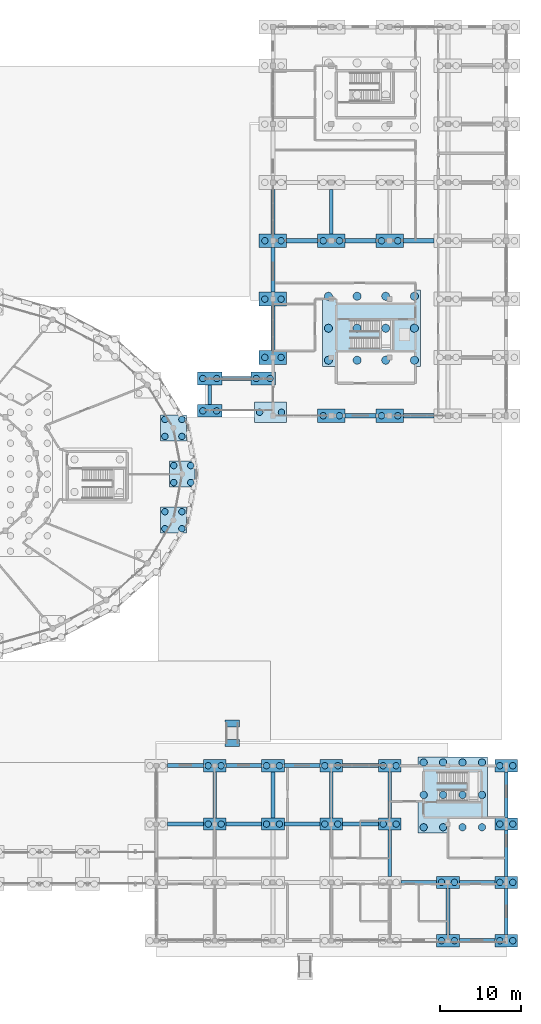
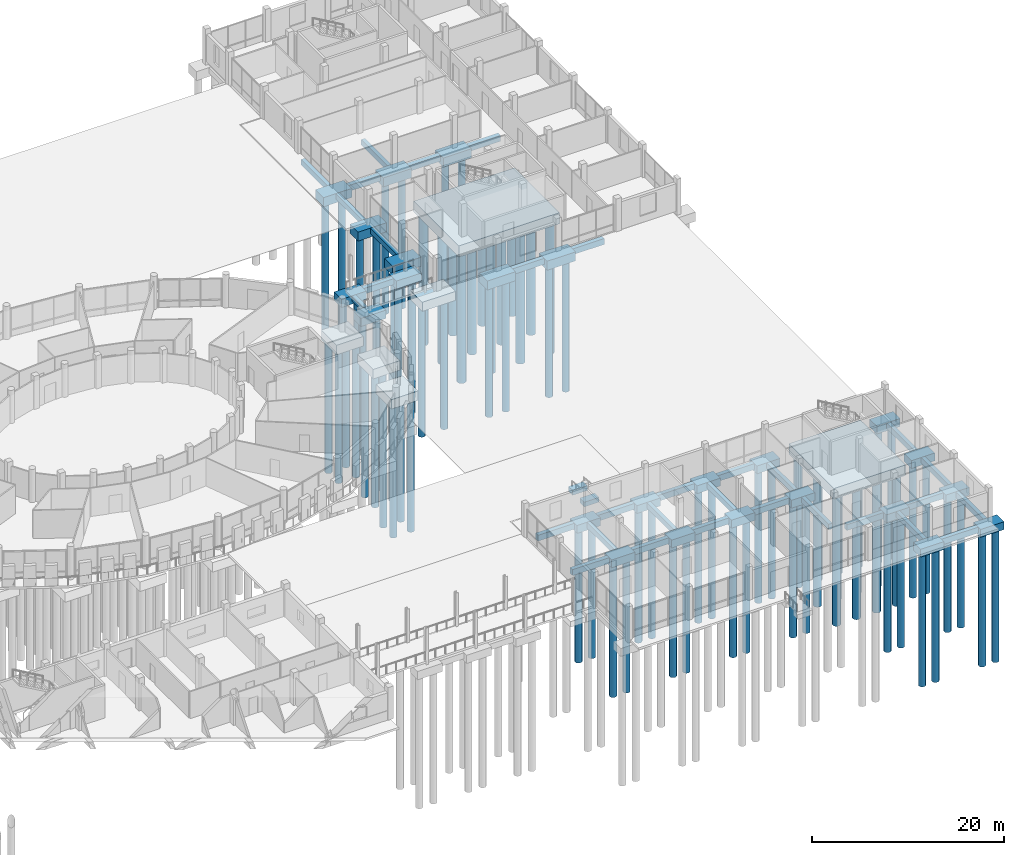
# One storey, part 4 of 98: 86 piles, 63 footings.
"""IFC4 building model written with IfcOpenShell, lengths in metres."""

from ifc_helpers import new_model, si_unit, direction, frame, origin, origin_2d, place, context, subcontext, project, spatial, rectangle, circle, extrude, material, material_profile, profile_set, type_object, element, save


model = new_model("IFC4")

# Units and contexts
model_context = context("Model", 3, precision=1e-05, world=origin(), true_north=direction((0.0, 1.0)))
body_context = subcontext(model_context, "Body", "Model", "MODEL_VIEW")
ifc_project = project(units=[si_unit("LENGTHUNIT", "METRE"), si_unit("AREAUNIT", "SQUARE_METRE"), si_unit("VOLUMEUNIT", "CUBIC_METRE"), si_unit("PLANEANGLEUNIT", "RADIAN"), si_unit("MASSUNIT", "GRAM", prefix="KILO")], contexts=[model_context])

# Site, building, storey
site_placement = place(None, origin())
site = spatial("IfcSite", under=ifc_project, at=site_placement, CompositionType="ELEMENT")
building_placement = place(site_placement, origin())
building = spatial("IfcBuilding", under=site, at=building_placement, Name="Zornivar Specialist Clinic", CompositionType="ELEMENT")
storey_placement = place(building_placement, origin())
storey = spatial("IfcBuildingStorey", under=building, at=storey_placement, Name="L00", CompositionType="ELEMENT", Elevation=0.0)

# Footings
ifc_material_1 = material(Name="Concrete C30/37", Category="concrete")
ifc_material_profile_1 = material_profile(ifc_material_1, rectangle(XDim=0.449951171875, YDim=0.699951171875, at=origin_2d()), Name="RC 450x700")
ifc_profile_set_1 = profile_set([ifc_material_profile_1], Name="Concrete C30/37")
footing_type_1 = type_object("IfcFootingType", Name="FTG-GB-450x700", PredefinedType="FOOTING_BEAM", material=ifc_profile_set_1)
footing_1_placement = place(storey_placement, frame((129.0, 66.175048828125, -0.699951171875), z_axis=(0.0, 1.0, 0.0), x_axis=(-1.0, 0.0, 0.0)))
element("IfcFooting", 1, at=footing_1_placement, inside=storey, type_object=footing_type_1, Name="gb:L00:y:1290:662", PredefinedType="FOOTING_BEAM", context=body_context, shape_type="SweptSolid", body=[
    extrude(rectangle(XDim=0.449951171875, YDim=0.699951171875, at=origin_2d()), origin(), (0.0, 0.0, 1.0), 2.449951171875),
])
for number, where, z_axis, x_axis, name in (
    (2, (129.60009765625, 15.14990234375, -0.699951171875), (0.0, 1.0, 0.0), (-1.0, 0.0, 0.0), "gb:L00:y:1296:152"),
    (3, (136.800048828125, 15.14990234375, -0.699951171875), (0.0, 1.0, 0.0), (-1.0, 0.0, 0.0), "gb:L00:y:1368:152"),
):
    element("IfcFooting", number, at=place(storey_placement, frame(where, z_axis=z_axis, x_axis=x_axis)), inside=storey, type_object=footing_type_1, Name=name, PredefinedType="FOOTING_BEAM", context=body_context, shape_type="SweptSolid", body=[
        extrude(rectangle(XDim=0.449951171875, YDim=0.699951171875, at=origin_2d()), origin(), (0.0, 0.0, 1.0), 5.7001953125),
    ])
for number, where, z_axis, x_axis, name in (
    (4, (136.800048828125, 72.85009765625, -0.72998046875), (0.0, 1.0, 0.0), (-1.0, 0.0, 0.0), "gb:L00:y:1368:728"),
    (5, (136.800048828125, 80.050048828125, -0.72998046875), (0.0, 1.0, 0.0), (-1.0, 0.0, 0.0), "gb:L00:y:1368:800"),
    (6, (136.800048828125, 87.25, -0.72998046875), (0.0, 1.0, 0.0), (-1.0, 0.0, 0.0), "gb:L00:y:1368:872"),
):
    element("IfcFooting", number, at=place(storey_placement, frame(where, z_axis=z_axis, x_axis=x_axis)), inside=storey, type_object=footing_type_1, Name=name, PredefinedType="FOOTING_BEAM", context=body_context, shape_type="SweptSolid", body=[
        extrude(rectangle(XDim=0.449951171875, YDim=0.699951171875, at=origin_2d()), origin(), (0.0, 0.0, 1.0), 5.5),
    ])
footing_2_placement = place(storey_placement, frame((144.0, 15.14990234375, -0.699951171875), z_axis=(0.0, 1.0, 0.0), x_axis=(-1.0, 0.0, 0.0)))
element("IfcFooting", 7, at=footing_2_placement, inside=storey, type_object=footing_type_1, Name="gb:L00:y:1440:152", PredefinedType="FOOTING_BEAM", context=body_context, shape_type="SweptSolid", body=[
    extrude(rectangle(XDim=0.449951171875, YDim=0.699951171875, at=origin_2d()), origin(), (0.0, 0.0, 1.0), 5.7001953125),
])
footing_3_placement = place(storey_placement, frame((144.0, 87.25, -0.72998046875), z_axis=(0.0, 1.0, 0.0), x_axis=(-1.0, 0.0, 0.0)))
element("IfcFooting", 8, at=footing_3_placement, inside=storey, type_object=footing_type_1, Name="gb:L00:y:1440:872", PredefinedType="FOOTING_BEAM", context=body_context, shape_type="SweptSolid", body=[
    extrude(rectangle(XDim=0.449951171875, YDim=0.699951171875, at=origin_2d()), origin(), (0.0, 0.0, 1.0), 5.5),
])
footing_4_placement = place(storey_placement, frame((151.199951171875, 7.949951171875, -0.699951171875), z_axis=(0.0, 1.0, 0.0), x_axis=(-1.0, 0.0, 0.0)))
element("IfcFooting", 9, at=footing_4_placement, inside=storey, type_object=footing_type_1, Name="gb:L00:y:1512:80", PredefinedType="FOOTING_BEAM", context=body_context, shape_type="SweptSolid", body=[
    extrude(rectangle(XDim=0.449951171875, YDim=0.699951171875, at=origin_2d()), origin(), (0.0, 0.0, 1.0), 5.699951171875),
])
footing_5_placement = place(storey_placement, frame((151.199951171875, 15.14990234375, -0.699951171875), z_axis=(0.0, 1.0, 0.0), x_axis=(-1.0, 0.0, 0.0)))
element("IfcFooting", 10, at=footing_5_placement, inside=storey, type_object=footing_type_1, Name="gb:L00:y:1512:152", PredefinedType="FOOTING_BEAM", context=body_context, shape_type="SweptSolid", body=[
    extrude(rectangle(XDim=0.449951171875, YDim=0.699951171875, at=origin_2d()), origin(), (0.0, 0.0, 1.0), 5.7001953125),
])
for number, where, z_axis, x_axis, name in (
    (11, (158.39990234375, 0.75, -0.699951171875), (0.0, 1.0, 0.0), (-1.0, 0.0, 0.0), "gb:L00:y:1584:8"),
    (12, (165.60009765625, 0.75, -0.699951171875), (0.0, 1.0, 0.0), (-1.0, 0.0, 0.0), "gb:L00:y:1656:8"),
    (13, (165.60009765625, 7.949951171875, -0.699951171875), (0.0, 1.0, 0.0), (-1.0, 0.0, 0.0), "gb:L00:y:1656:80"),
):
    element("IfcFooting", number, at=place(storey_placement, frame(where, z_axis=z_axis, x_axis=x_axis)), inside=storey, type_object=footing_type_1, Name=name, PredefinedType="FOOTING_BEAM", context=body_context, shape_type="SweptSolid", body=[
        extrude(rectangle(XDim=0.449951171875, YDim=0.699951171875, at=origin_2d()), origin(), (0.0, 0.0, 1.0), 5.699951171875),
    ])
footing_6_placement = place(storey_placement, frame((165.60009765625, 15.14990234375, -0.699951171875), z_axis=(0.0, 1.0, 0.0), x_axis=(-1.0, 0.0, 0.0)))
element("IfcFooting", 14, at=footing_6_placement, inside=storey, type_object=footing_type_1, Name="gb:L00:y:1656:152", PredefinedType="FOOTING_BEAM", context=body_context, shape_type="SweptSolid", body=[
    extrude(rectangle(XDim=0.449951171875, YDim=0.699951171875, at=origin_2d()), origin(), (0.0, 0.0, 1.0), 5.7001953125),
])
ifc_material_2 = material(Name="Concrete C30/37", Category="concrete")
ifc_material_profile_2 = material_profile(ifc_material_2, rectangle(XDim=0.5, YDim=0.75, at=origin_2d()), Name="RC 500x750")
ifc_profile_set_2 = profile_set([ifc_material_profile_2], Name="Concrete C30/37")
footing_type_2 = type_object("IfcFootingType", Name="FTG-GB-500x750", PredefinedType="FOOTING_BEAM", material=ifc_profile_set_2)
for number, where, z_axis, x_axis, name in (
    (15, (159.800048828125, 0.0, -0.72509765625), (1.0, 0.0, 0.0), (0.0, 1.0, 0.0), "gb:L00:x:0:1598"),
    (16, (152.60009765625, 7.199951171875, -0.72509765625), (1.0, 0.0, 0.0), (0.0, 1.0, 0.0), "gb:L00:x:72:1526"),
    (17, (159.800048828125, 7.199951171875, -0.72509765625), (1.0, 0.0, 0.0), (0.0, 1.0, 0.0), "gb:L00:x:72:1598"),
    (18, (123.800048828125, 14.39990234375, -0.72509765625), (1.0, 0.0, 0.0), (0.0, 1.0, 0.0), "gb:L00:x:144:1238"),
    (19, (131.0, 14.39990234375, -0.72509765625), (1.0, 0.0, 0.0), (0.0, 1.0, 0.0), "gb:L00:x:144:1310"),
):
    element("IfcFooting", number, at=place(storey_placement, frame(where, z_axis=z_axis, x_axis=x_axis)), inside=storey, type_object=footing_type_2, Name=name, PredefinedType="FOOTING_BEAM", context=body_context, shape_type="SweptSolid", body=[
        extrude(rectangle(XDim=0.5, YDim=0.75, at=origin_2d()), origin(), (0.0, 0.0, 1.0), 4.39990234375),
    ])
for number, where, z_axis, x_axis, name in (
    (20, (138.199951171875, 14.39990234375, -0.72509765625), (1.0, 0.0, 0.0), (0.0, 1.0, 0.0), "gb:L00:x:144:1382"),
    (21, (145.39990234375, 14.39990234375, -0.72509765625), (1.0, 0.0, 0.0), (0.0, 1.0, 0.0), "gb:L00:x:144:1454"),
):
    element("IfcFooting", number, at=place(storey_placement, frame(where, z_axis=z_axis, x_axis=x_axis)), inside=storey, type_object=footing_type_2, Name=name, PredefinedType="FOOTING_BEAM", context=body_context, shape_type="SweptSolid", body=[
        extrude(rectangle(XDim=0.5, YDim=0.75, at=origin_2d()), origin(), (0.0, 0.0, 1.0), 4.400146484375),
    ])
for number, where, z_axis, x_axis, name in (
    (22, (123.800048828125, 21.60009765625, -0.72509765625), (1.0, 0.0, 0.0), (0.0, 1.0, 0.0), "gb:L00:x:216:1238"),
    (23, (131.0, 21.60009765625, -0.72509765625), (1.0, 0.0, 0.0), (0.0, 1.0, 0.0), "gb:L00:x:216:1310"),
):
    element("IfcFooting", number, at=place(storey_placement, frame(where, z_axis=z_axis, x_axis=x_axis)), inside=storey, type_object=footing_type_2, Name=name, PredefinedType="FOOTING_BEAM", context=body_context, shape_type="SweptSolid", body=[
        extrude(rectangle(XDim=0.5, YDim=0.75, at=origin_2d()), origin(), (0.0, 0.0, 1.0), 4.39990234375),
    ])
for number, where, z_axis, x_axis, name in (
    (24, (138.199951171875, 21.60009765625, -0.72509765625), (1.0, 0.0, 0.0), (0.0, 1.0, 0.0), "gb:L00:x:216:1382"),
    (25, (145.39990234375, 21.60009765625, -0.72509765625), (1.0, 0.0, 0.0), (0.0, 1.0, 0.0), "gb:L00:x:216:1454"),
):
    element("IfcFooting", number, at=place(storey_placement, frame(where, z_axis=z_axis, x_axis=x_axis)), inside=storey, type_object=footing_type_2, Name=name, PredefinedType="FOOTING_BEAM", context=body_context, shape_type="SweptSolid", body=[
        extrude(rectangle(XDim=0.5, YDim=0.75, at=origin_2d()), origin(), (0.0, 0.0, 1.0), 4.400146484375),
    ])
for number, where, z_axis, x_axis, name in (
    (26, (145.699951171875, 64.800048828125, -0.7548828125), (1.0, 0.0, 0.0), (0.0, 1.0, 0.0), "gb:L00:x:648:1457"),
    (27, (152.89990234375, 64.800048828125, -0.7548828125), (1.0, 0.0, 0.0), (0.0, 1.0, 0.0), "gb:L00:x:648:1529"),
):
    element("IfcFooting", number, at=place(storey_placement, frame(where, z_axis=z_axis, x_axis=x_axis)), inside=storey, type_object=footing_type_2, Name=name, PredefinedType="FOOTING_BEAM", context=body_context, shape_type="SweptSolid", body=[
        extrude(rectangle(XDim=0.5, YDim=0.75, at=origin_2d()), origin(), (0.0, 0.0, 1.0), 3.800048828125),
    ])
footing_7_placement = place(storey_placement, frame((130.5, 69.39990234375, -0.72509765625), z_axis=(1.0, 0.0, 0.0), x_axis=(0.0, 1.0, 0.0)))
element("IfcFooting", 28, at=footing_7_placement, inside=storey, type_object=footing_type_2, Name="gb:L00:x:694:1305", PredefinedType="FOOTING_BEAM", context=body_context, shape_type="SweptSolid", body=[
    extrude(rectangle(XDim=0.5, YDim=0.75, at=origin_2d()), origin(), (0.0, 0.0, 1.0), 3.60009765625),
])
ifc_material_3 = material(Name="Concrete C30/37", Category="concrete")
ifc_material_profile_3 = material_profile(ifc_material_3, rectangle(XDim=0.52001953125, YDim=0.75, at=origin_2d()), Name="RC 520x750")
ifc_profile_set_3 = profile_set([ifc_material_profile_3], Name="Concrete C30/37")
footing_type_3 = type_object("IfcFootingType", Name="FTG-GB-520x750", PredefinedType="FOOTING_BEAM", material=ifc_profile_set_3)
for number, where, z_axis, x_axis, name in (
    (29, (138.5, 86.39990234375, -0.7548828125), (1.0, 0.0, 0.0), (0.0, 1.0, 0.0), "gb:L00:x:864:1385"),
    (30, (145.699951171875, 86.39990234375, -0.7548828125), (1.0, 0.0, 0.0), (0.0, 1.0, 0.0), "gb:L00:x:864:1457"),
    (31, (152.89990234375, 86.39990234375, -0.7548828125), (1.0, 0.0, 0.0), (0.0, 1.0, 0.0), "gb:L00:x:864:1529"),
):
    element("IfcFooting", number, at=place(storey_placement, frame(where, z_axis=z_axis, x_axis=x_axis)), inside=storey, type_object=footing_type_3, Name=name, PredefinedType="FOOTING_BEAM", context=body_context, shape_type="SweptSolid", body=[
        extrude(rectangle(XDim=0.52001953125, YDim=0.75, at=origin_2d()), origin(), (0.0, 0.0, 1.0), 3.800048828125),
    ])
ifc_material_4 = material(Name="Concrete C30/37", Category="concrete")
footing_type_4 = type_object("IfcFootingType", Name="FTG-PC-2P-280x150x100", PredefinedType="PILE_CAP", material=ifc_material_4)
for number, where, z_axis, x_axis, name in (
    (32, (129.60009765625, 14.39990234375, -1.35009765625), (0.0, 0.0, 1.0), (1.0, 0.0, 0.0), "ftg:V4:129600_14400"),
    (33, (129.60009765625, 21.60009765625, -1.35009765625), (0.0, 0.0, 1.0), (1.0, 0.0, 0.0), "ftg:V4:129600_21600"),
    (34, (136.800048828125, 14.39990234375, -1.35009765625), (0.0, 0.0, 1.0), (1.0, 0.0, 0.0), "ftg:V4:136800_14400"),
    (35, (136.800048828125, 21.60009765625, -1.35009765625), (0.0, 0.0, 1.0), (1.0, 0.0, 0.0), "ftg:V4:136800_21600"),
    (36, (144.0, 14.39990234375, -1.35009765625), (0.0, 0.0, 1.0), (1.0, 0.0, 0.0), "ftg:V4:144000_14400"),
    (37, (144.0, 21.60009765625, -1.35009765625), (0.0, 0.0, 1.0), (1.0, 0.0, 0.0), "ftg:V4:144000_21600"),
    (38, (151.199951171875, 14.39990234375, -1.35009765625), (0.0, 0.0, 1.0), (1.0, 0.0, 0.0), "ftg:V4:151200_14400"),
    (39, (151.199951171875, 21.60009765625, -1.35009765625), (0.0, 0.0, 1.0), (1.0, 0.0, 0.0), "ftg:V4:151200_21600"),
    (40, (158.39990234375, 0.0, -1.35009765625), (0.0, 0.0, 1.0), (1.0, 0.0, 0.0), "ftg:V4:158400_0"),
    (41, (158.39990234375, 7.199951171875, -1.35009765625), (0.0, 0.0, 1.0), (1.0, 0.0, 0.0), "ftg:V4:158400_7200"),
    (42, (165.60009765625, 0.0, -1.35009765625), (0.0, 0.0, 1.0), (1.0, 0.0, 0.0), "ftg:V4:165600_0"),
    (43, (165.60009765625, 7.199951171875, -1.35009765625), (0.0, 0.0, 1.0), (1.0, 0.0, 0.0), "ftg:V4:165600_7200"),
    (44, (165.60009765625, 14.39990234375, -1.35009765625), (0.0, 0.0, 1.0), (1.0, 0.0, 0.0), "ftg:V4:165600_14400"),
    (45, (165.60009765625, 21.60009765625, -1.35009765625), (0.0, 0.0, 1.0), (1.0, 0.0, 0.0), "ftg:V4:165600_21600"),
):
    element("IfcFooting", number, at=place(storey_placement, frame(where, z_axis=z_axis, x_axis=x_axis)), inside=storey, type_object=footing_type_4, Name=name, PredefinedType="PILE_CAP", context=body_context, shape_type="SweptSolid", body=[
        extrude(rectangle(XDim=2.800048828125, YDim=1.5, at=origin_2d()), origin(), (0.0, 0.0, 1.0), 1.0),
    ])
ifc_material_5 = material(Name="Concrete C30/37", Category="concrete")
footing_type_5 = type_object("IfcFootingType", Name="FTG-PC-2P-300x155x105", PredefinedType="PILE_CAP", material=ifc_material_5)
for number, where, z_axis, x_axis, name in (
    (46, (129.0, 65.39990234375, -1.39990234375), (0.0, 0.0, 1.0), (1.0, 0.0, 0.0), "ftg:BR3:129000_65400"),
    (47, (129.0, 69.39990234375, -1.39990234375), (0.0, 0.0, 1.0), (1.0, 0.0, 0.0), "ftg:BR3:129000_69400"),
    (48, (135.60009765625, 69.39990234375, -1.39990234375), (0.0, 0.0, 1.0), (1.0, 0.0, 0.0), "ftg:BR3:135600_69400"),
):
    element("IfcFooting", number, at=place(storey_placement, frame(where, z_axis=z_axis, x_axis=x_axis)), inside=storey, type_object=footing_type_5, Name=name, PredefinedType="PILE_CAP", context=body_context, shape_type="SweptSolid", body=[
        extrude(rectangle(XDim=3.0, YDim=1.550048828125, at=origin_2d()), origin(), (0.0, 0.0, 1.0), 1.050048828125),
    ])
ifc_material_6 = material(Name="Concrete C30/37", Category="concrete")
footing_type_6 = type_object("IfcFootingType", Name="FTG-PC-2P-340x170x115", PredefinedType="PILE_CAP", material=ifc_material_6)
for number, where, z_axis, x_axis, name in (
    (49, (136.800048828125, 72.0, -1.530029296875), (0.0, 0.0, 1.0), (1.0, 0.0, 0.0), "ftg:V6:136800_72000"),
    (50, (136.800048828125, 79.199951171875, -1.530029296875), (0.0, 0.0, 1.0), (1.0, 0.0, 0.0), "ftg:V6:136800_79200"),
    (51, (136.800048828125, 86.39990234375, -1.530029296875), (0.0, 0.0, 1.0), (1.0, 0.0, 0.0), "ftg:V6:136800_86400"),
    (52, (144.0, 64.800048828125, -1.530029296875), (0.0, 0.0, 1.0), (1.0, 0.0, 0.0), "ftg:V6:144000_64800"),
    (53, (144.0, 86.39990234375, -1.530029296875), (0.0, 0.0, 1.0), (1.0, 0.0, 0.0), "ftg:V6:144000_86400"),
    (54, (151.199951171875, 64.800048828125, -1.530029296875), (0.0, 0.0, 1.0), (1.0, 0.0, 0.0), "ftg:V6:151200_64800"),
    (55, (151.199951171875, 86.39990234375, -1.530029296875), (0.0, 0.0, 1.0), (1.0, 0.0, 0.0), "ftg:V6:151200_86400"),
):
    element("IfcFooting", number, at=place(storey_placement, frame(where, z_axis=z_axis, x_axis=x_axis)), inside=storey, type_object=footing_type_6, Name=name, PredefinedType="PILE_CAP", context=body_context, shape_type="SweptSolid", body=[
        extrude(rectangle(XDim=3.39990234375, YDim=1.699951171875, at=origin_2d()), origin(), (0.0, 0.0, 1.0), 1.14990234375),
    ])
ifc_material_7 = material(Name="Concrete C30/37", Category="concrete")
footing_type_7 = type_object("IfcFootingType", Name="FTG-PC-4P-320x320x120", PredefinedType="PILE_CAP", material=ifc_material_7)
for number, where, z_axis, x_axis, name in (
    (56, (125.60009765625, 57.60009765625, -1.580078125), (0.0, 0.0, 1.0), (1.0, 0.0, 0.0), "ftg:V1:125600_57600"),
    (57, (124.510009765625, 63.2939453125, -1.580078125), (0.0, 0.0, 1.0), (1.0, 0.0, 0.0), "ftg:V1:124510_63294"),
    (58, (124.510009765625, 51.906005859375, -1.580078125), (0.0, 0.0, 1.0), (1.0, 0.0, 0.0), "ftg:V1:124510_51906"),
):
    element("IfcFooting", number, at=place(storey_placement, frame(where, z_axis=z_axis, x_axis=x_axis)), inside=storey, type_object=footing_type_7, Name=name, PredefinedType="PILE_CAP", context=body_context, shape_type="SweptSolid", body=[
        extrude(rectangle(XDim=3.199951171875, YDim=3.199951171875, at=origin_2d()), origin(), (0.0, 0.0, 1.0), 1.199951171875),
    ])
ifc_material_8 = material(Name="Concrete C30/37", Category="concrete")
footing_type_8 = type_object("IfcFootingType", Name="FTG-PC-COMB-1210x940x140", PredefinedType="PILE_CAP", material=ifc_material_8)
footing_8_placement = place(storey_placement, frame((148.949951171875, 75.60009765625, -1.75), z_axis=(0.0, 0.0, 1.0), x_axis=(1.0, 0.0, 0.0)))
element("IfcFooting", 59, at=footing_8_placement, inside=storey, type_object=footing_type_8, Name="ftg:core:C9", PredefinedType="PILE_CAP", context=body_context, shape_type="SweptSolid", body=[
    extrude(rectangle(XDim=12.10009765625, YDim=9.39990234375, at=origin_2d()), origin(), (0.0, 0.0, 1.0), 1.39990234375),
])
ifc_material_9 = material(Name="Concrete C30/37", Category="concrete")
footing_type_9 = type_object("IfcFootingType", Name="FTG-PC-COMB-400x255x115", PredefinedType="PILE_CAP", material=ifc_material_9)
footing_9_placement = place(storey_placement, frame((136.5, 65.22509765625, -1.5), z_axis=(0.0, 0.0, 1.0), x_axis=(1.0, 0.0, 0.0)))
element("IfcFooting", 60, at=footing_9_placement, inside=storey, type_object=footing_type_9, Name="ftg:V6:136800_64800", PredefinedType="PILE_CAP", context=body_context, shape_type="SweptSolid", body=[
    extrude(rectangle(XDim=4.0, YDim=2.550048828125, at=origin_2d()), origin(), (0.0, 0.0, 1.0), 1.14990234375),
])
ifc_material_10 = material(Name="Concrete C30/37", Category="concrete")
footing_type_10 = type_object("IfcFootingType", Name="FTG-PC-COMB-860x940x135", PredefinedType="PILE_CAP", material=ifc_material_10)
footing_10_placement = place(storey_placement, frame((159.0, 18.0, -1.699951171875), z_axis=(0.0, 0.0, 1.0), x_axis=(1.0, 0.0, 0.0)))
element("IfcFooting", 61, at=footing_10_placement, inside=storey, type_object=footing_type_10, Name="ftg:core:C6", PredefinedType="PILE_CAP", context=body_context, shape_type="SweptSolid", body=[
    extrude(rectangle(XDim=8.60009765625, YDim=9.39990234375, at=origin_2d()), origin(), (0.0, 0.0, 1.0), 1.35009765625),
])
ifc_material_11 = material(Name="Concrete C30/37", Category="concrete")
ifc_material_profile_4 = material_profile(ifc_material_11, rectangle(XDim=0.89990234375, YDim=0.60009765625, at=origin_2d()), Name="RC 900x600")
ifc_profile_set_4 = profile_set([ifc_material_profile_4], Name="Concrete C30/37")
footing_type_11 = type_object("IfcFootingType", Name="FTG-STRIP-900x600", PredefinedType="STRIP_FOOTING", material=ifc_profile_set_4)
for number, where, z_axis, x_axis, name in (
    (62, (130.85009765625, 26.800048828125, -0.47998046875), (1.0, 0.0, 0.0), (0.0, 1.0, 0.0), "ftg:ramp:ped:L00:PR5:lo"),
    (63, (130.85009765625, 24.39990234375, -0.4990234375), (1.0, 0.0, 0.0), (0.0, 1.0, 0.0), "ftg:ramp:ped:L00:PR5:hi"),
):
    element("IfcFooting", number, at=place(storey_placement, frame(where, z_axis=z_axis, x_axis=x_axis)), inside=storey, type_object=footing_type_11, Name=name, PredefinedType="STRIP_FOOTING", context=body_context, shape_type="SweptSolid", body=[
        extrude(rectangle(XDim=0.89990234375, YDim=0.60009765625, at=origin_2d()), origin(), (0.0, 0.0, 1.0), 1.7998046875),
    ])

# Piles
ifc_material_12 = material(Name="Concrete C30/37", Category="concrete")
ifc_material_profile_5 = material_profile(ifc_material_12, circle(Radius=0.5, at=origin_2d()), Name="PILE D1000")
ifc_profile_set_5 = profile_set([ifc_material_profile_5], Name="Concrete C30/37")
pile_type_1 = type_object("IfcPileType", Name="PILE-BORED-1000", PredefinedType="BORED", material=ifc_profile_set_5)
for number, where, z_axis, x_axis, name in (
    (64, (143.64990234375, 71.64990234375, -1.64990234375), (0.0, 0.0, -1.0), (1.0, 0.0, 0.0), "pile:ftg:core:C9:0"),
    (65, (143.64990234375, 75.60009765625, -1.64990234375), (0.0, 0.0, -1.0), (1.0, 0.0, 0.0), "pile:ftg:core:C9:1"),
    (66, (143.64990234375, 79.550048828125, -1.64990234375), (0.0, 0.0, -1.0), (1.0, 0.0, 0.0), "pile:ftg:core:C9:2"),
    (67, (147.18310546875, 71.64990234375, -1.64990234375), (0.0, 0.0, -1.0), (1.0, 0.0, 0.0), "pile:ftg:core:C9:3"),
    (68, (147.18310546875, 75.60009765625, -1.64990234375), (0.0, 0.0, -1.0), (1.0, 0.0, 0.0), "pile:ftg:core:C9:4"),
    (69, (147.18310546875, 79.550048828125, -1.64990234375), (0.0, 0.0, -1.0), (1.0, 0.0, 0.0), "pile:ftg:core:C9:5"),
    (70, (150.717041015625, 71.64990234375, -1.64990234375), (0.0, 0.0, -1.0), (1.0, 0.0, 0.0), "pile:ftg:core:C9:6"),
    (71, (150.717041015625, 75.60009765625, -1.64990234375), (0.0, 0.0, -1.0), (1.0, 0.0, 0.0), "pile:ftg:core:C9:7"),
    (72, (150.717041015625, 79.550048828125, -1.64990234375), (0.0, 0.0, -1.0), (1.0, 0.0, 0.0), "pile:ftg:core:C9:8"),
    (73, (154.25, 71.64990234375, -1.64990234375), (0.0, 0.0, -1.0), (1.0, 0.0, 0.0), "pile:ftg:core:C9:9"),
    (74, (154.25, 75.60009765625, -1.64990234375), (0.0, 0.0, -1.0), (1.0, 0.0, 0.0), "pile:ftg:core:C9:10"),
    (75, (154.25, 79.550048828125, -1.64990234375), (0.0, 0.0, -1.0), (1.0, 0.0, 0.0), "pile:ftg:core:C9:11"),
):
    element("IfcPile", number, at=place(storey_placement, frame(where, z_axis=z_axis, x_axis=x_axis)), inside=storey, type_object=pile_type_1, Name=name, PredefinedType="BORED", context=body_context, shape_type="SweptSolid", body=[
        extrude(circle(Radius=0.5, at=origin_2d()), origin(), (0.0, 0.0, 1.0), 16.550048828125),
    ])
ifc_material_13 = material(Name="Concrete C30/37", Category="concrete")
ifc_material_profile_6 = material_profile(ifc_material_13, circle(Radius=0.39990234375, at=origin_2d()), Name="PILE D800")
ifc_profile_set_6 = profile_set([ifc_material_profile_6], Name="Concrete C30/37")
pile_type_2 = type_object("IfcPileType", Name="PILE-BORED-800", PredefinedType="BORED", material=ifc_profile_set_6)
for number, where, z_axis, x_axis, name in (
    (76, (128.800048828125, 14.39990234375, -1.25), (0.0, 0.0, -1.0), (1.0, 0.0, 0.0), "pile:ftg:V4:129600_14400:0"),
    (77, (130.39990234375, 14.39990234375, -1.25), (0.0, 0.0, -1.0), (1.0, 0.0, 0.0), "pile:ftg:V4:129600_14400:1"),
    (78, (128.800048828125, 21.60009765625, -1.25), (0.0, 0.0, -1.0), (1.0, 0.0, 0.0), "pile:ftg:V4:129600_21600:0"),
    (79, (130.39990234375, 21.60009765625, -1.25), (0.0, 0.0, -1.0), (1.0, 0.0, 0.0), "pile:ftg:V4:129600_21600:1"),
    (80, (136.0, 14.39990234375, -1.25), (0.0, 0.0, -1.0), (1.0, 0.0, 0.0), "pile:ftg:V4:136800_14400:0"),
    (81, (137.60009765625, 14.39990234375, -1.25), (0.0, 0.0, -1.0), (1.0, 0.0, 0.0), "pile:ftg:V4:136800_14400:1"),
    (82, (136.0, 21.60009765625, -1.25), (0.0, 0.0, -1.0), (1.0, 0.0, 0.0), "pile:ftg:V4:136800_21600:0"),
    (83, (137.60009765625, 21.60009765625, -1.25), (0.0, 0.0, -1.0), (1.0, 0.0, 0.0), "pile:ftg:V4:136800_21600:1"),
    (84, (143.199951171875, 14.39990234375, -1.25), (0.0, 0.0, -1.0), (1.0, 0.0, 0.0), "pile:ftg:V4:144000_14400:0"),
    (85, (144.800048828125, 14.39990234375, -1.25), (0.0, 0.0, -1.0), (1.0, 0.0, 0.0), "pile:ftg:V4:144000_14400:1"),
    (86, (143.199951171875, 21.60009765625, -1.25), (0.0, 0.0, -1.0), (1.0, 0.0, 0.0), "pile:ftg:V4:144000_21600:0"),
    (87, (144.800048828125, 21.60009765625, -1.25), (0.0, 0.0, -1.0), (1.0, 0.0, 0.0), "pile:ftg:V4:144000_21600:1"),
    (88, (150.39990234375, 14.39990234375, -1.25), (0.0, 0.0, -1.0), (1.0, 0.0, 0.0), "pile:ftg:V4:151200_14400:0"),
    (89, (152.0, 14.39990234375, -1.25), (0.0, 0.0, -1.0), (1.0, 0.0, 0.0), "pile:ftg:V4:151200_14400:1"),
    (90, (150.39990234375, 21.60009765625, -1.25), (0.0, 0.0, -1.0), (1.0, 0.0, 0.0), "pile:ftg:V4:151200_21600:0"),
    (91, (152.0, 21.60009765625, -1.25), (0.0, 0.0, -1.0), (1.0, 0.0, 0.0), "pile:ftg:V4:151200_21600:1"),
    (92, (157.60009765625, 0.0, -1.25), (0.0, 0.0, -1.0), (1.0, 0.0, 0.0), "pile:ftg:V4:158400_0:0"),
    (93, (159.199951171875, 0.0, -1.25), (0.0, 0.0, -1.0), (1.0, 0.0, 0.0), "pile:ftg:V4:158400_0:1"),
    (94, (157.60009765625, 7.199951171875, -1.25), (0.0, 0.0, -1.0), (1.0, 0.0, 0.0), "pile:ftg:V4:158400_7200:0"),
    (95, (159.199951171875, 7.199951171875, -1.25), (0.0, 0.0, -1.0), (1.0, 0.0, 0.0), "pile:ftg:V4:158400_7200:1"),
    (96, (164.800048828125, 0.0, -1.25), (0.0, 0.0, -1.0), (1.0, 0.0, 0.0), "pile:ftg:V4:165600_0:0"),
    (97, (166.39990234375, 0.0, -1.25), (0.0, 0.0, -1.0), (1.0, 0.0, 0.0), "pile:ftg:V4:165600_0:1"),
    (98, (164.800048828125, 7.199951171875, -1.25), (0.0, 0.0, -1.0), (1.0, 0.0, 0.0), "pile:ftg:V4:165600_7200:0"),
    (99, (166.39990234375, 7.199951171875, -1.25), (0.0, 0.0, -1.0), (1.0, 0.0, 0.0), "pile:ftg:V4:165600_7200:1"),
    (100, (164.800048828125, 14.39990234375, -1.25), (0.0, 0.0, -1.0), (1.0, 0.0, 0.0), "pile:ftg:V4:165600_14400:0"),
    (101, (166.39990234375, 14.39990234375, -1.25), (0.0, 0.0, -1.0), (1.0, 0.0, 0.0), "pile:ftg:V4:165600_14400:1"),
    (102, (164.800048828125, 21.60009765625, -1.25), (0.0, 0.0, -1.0), (1.0, 0.0, 0.0), "pile:ftg:V4:165600_21600:0"),
    (103, (166.39990234375, 21.60009765625, -1.25), (0.0, 0.0, -1.0), (1.0, 0.0, 0.0), "pile:ftg:V4:165600_21600:1"),
):
    element("IfcPile", number, at=place(storey_placement, frame(where, z_axis=z_axis, x_axis=x_axis)), inside=storey, type_object=pile_type_2, Name=name, PredefinedType="BORED", context=body_context, shape_type="SweptSolid", body=[
        extrude(circle(Radius=0.39990234375, at=origin_2d()), origin(), (0.0, 0.0, 1.0), 16.949951171875),
    ])
for number, where, z_axis, x_axis, name in (
    (104, (135.14990234375, 65.22509765625, -1.39990234375), (0.0, 0.0, -1.0), (1.0, 0.0, 0.0), "pile:ftg:V6:136800_64800:0"),
    (105, (137.85009765625, 65.22509765625, -1.39990234375), (0.0, 0.0, -1.0), (1.0, 0.0, 0.0), "pile:ftg:V6:136800_64800:1"),
):
    element("IfcPile", number, at=place(storey_placement, frame(where, z_axis=z_axis, x_axis=x_axis)), inside=storey, type_object=pile_type_2, Name=name, PredefinedType="BORED", context=body_context, shape_type="SweptSolid", body=[
        extrude(circle(Radius=0.39990234375, at=origin_2d()), origin(), (0.0, 0.0, 1.0), 16.800048828125),
    ])
for number, where, z_axis, x_axis, name in (
    (106, (135.800048828125, 72.0, -1.429931640625), (0.0, 0.0, -1.0), (1.0, 0.0, 0.0), "pile:ftg:V6:136800_72000:0"),
    (107, (137.800048828125, 72.0, -1.429931640625), (0.0, 0.0, -1.0), (1.0, 0.0, 0.0), "pile:ftg:V6:136800_72000:1"),
    (108, (135.800048828125, 79.199951171875, -1.429931640625), (0.0, 0.0, -1.0), (1.0, 0.0, 0.0), "pile:ftg:V6:136800_79200:0"),
    (109, (137.800048828125, 79.199951171875, -1.429931640625), (0.0, 0.0, -1.0), (1.0, 0.0, 0.0), "pile:ftg:V6:136800_79200:1"),
    (110, (135.800048828125, 86.39990234375, -1.429931640625), (0.0, 0.0, -1.0), (1.0, 0.0, 0.0), "pile:ftg:V6:136800_86400:0"),
    (111, (137.800048828125, 86.39990234375, -1.429931640625), (0.0, 0.0, -1.0), (1.0, 0.0, 0.0), "pile:ftg:V6:136800_86400:1"),
    (112, (143.0, 64.800048828125, -1.429931640625), (0.0, 0.0, -1.0), (1.0, 0.0, 0.0), "pile:ftg:V6:144000_64800:0"),
    (113, (145.0, 64.800048828125, -1.429931640625), (0.0, 0.0, -1.0), (1.0, 0.0, 0.0), "pile:ftg:V6:144000_64800:1"),
    (114, (143.0, 86.39990234375, -1.429931640625), (0.0, 0.0, -1.0), (1.0, 0.0, 0.0), "pile:ftg:V6:144000_86400:0"),
    (115, (145.0, 86.39990234375, -1.429931640625), (0.0, 0.0, -1.0), (1.0, 0.0, 0.0), "pile:ftg:V6:144000_86400:1"),
    (116, (150.199951171875, 64.800048828125, -1.429931640625), (0.0, 0.0, -1.0), (1.0, 0.0, 0.0), "pile:ftg:V6:151200_64800:0"),
    (117, (152.199951171875, 64.800048828125, -1.429931640625), (0.0, 0.0, -1.0), (1.0, 0.0, 0.0), "pile:ftg:V6:151200_64800:1"),
    (118, (150.199951171875, 86.39990234375, -1.429931640625), (0.0, 0.0, -1.0), (1.0, 0.0, 0.0), "pile:ftg:V6:151200_86400:0"),
    (119, (152.199951171875, 86.39990234375, -1.429931640625), (0.0, 0.0, -1.0), (1.0, 0.0, 0.0), "pile:ftg:V6:151200_86400:1"),
):
    element("IfcPile", number, at=place(storey_placement, frame(where, z_axis=z_axis, x_axis=x_axis)), inside=storey, type_object=pile_type_2, Name=name, PredefinedType="BORED", context=body_context, shape_type="SweptSolid", body=[
        extrude(circle(Radius=0.39990234375, at=origin_2d()), origin(), (0.0, 0.0, 1.0), 16.77001953125),
    ])
for number, where, z_axis, x_axis, name in (
    (120, (124.550048828125, 56.550048828125, -1.47998046875), (0.0, 0.0, -1.0), (1.0, 0.0, 0.0), "pile:ftg:V1:125600_57600:0"),
    (121, (126.64990234375, 56.550048828125, -1.47998046875), (0.0, 0.0, -1.0), (1.0, 0.0, 0.0), "pile:ftg:V1:125600_57600:1"),
    (122, (124.550048828125, 58.64990234375, -1.47998046875), (0.0, 0.0, -1.0), (1.0, 0.0, 0.0), "pile:ftg:V1:125600_57600:2"),
    (123, (126.64990234375, 58.64990234375, -1.47998046875), (0.0, 0.0, -1.0), (1.0, 0.0, 0.0), "pile:ftg:V1:125600_57600:3"),
    (124, (123.4599609375, 62.243896484375, -1.47998046875), (0.0, 0.0, -1.0), (1.0, 0.0, 0.0), "pile:ftg:V1:124510_63294:0"),
    (125, (125.56005859375, 62.243896484375, -1.47998046875), (0.0, 0.0, -1.0), (1.0, 0.0, 0.0), "pile:ftg:V1:124510_63294:1"),
    (126, (123.4599609375, 64.343994140625, -1.47998046875), (0.0, 0.0, -1.0), (1.0, 0.0, 0.0), "pile:ftg:V1:124510_63294:2"),
    (127, (125.56005859375, 64.343994140625, -1.47998046875), (0.0, 0.0, -1.0), (1.0, 0.0, 0.0), "pile:ftg:V1:124510_63294:3"),
    (128, (123.4599609375, 50.85595703125, -1.47998046875), (0.0, 0.0, -1.0), (1.0, 0.0, 0.0), "pile:ftg:V1:124510_51906:0"),
    (129, (125.56005859375, 50.85595703125, -1.47998046875), (0.0, 0.0, -1.0), (1.0, 0.0, 0.0), "pile:ftg:V1:124510_51906:1"),
    (130, (123.4599609375, 52.9560546875, -1.47998046875), (0.0, 0.0, -1.0), (1.0, 0.0, 0.0), "pile:ftg:V1:124510_51906:2"),
    (131, (125.56005859375, 52.9560546875, -1.47998046875), (0.0, 0.0, -1.0), (1.0, 0.0, 0.0), "pile:ftg:V1:124510_51906:3"),
):
    element("IfcPile", number, at=place(storey_placement, frame(where, z_axis=z_axis, x_axis=x_axis)), inside=storey, type_object=pile_type_2, Name=name, PredefinedType="BORED", context=body_context, shape_type="SweptSolid", body=[
        extrude(circle(Radius=0.39990234375, at=origin_2d()), origin(), (0.0, 0.0, 1.0), 16.719970703125),
    ])
for number, where, z_axis, x_axis, name in (
    (132, (128.14990234375, 65.39990234375, -1.300048828125), (0.0, 0.0, -1.0), (1.0, 0.0, 0.0), "pile:ftg:BR3:129000_65400:0"),
    (133, (129.85009765625, 65.39990234375, -1.300048828125), (0.0, 0.0, -1.0), (1.0, 0.0, 0.0), "pile:ftg:BR3:129000_65400:1"),
    (134, (128.14990234375, 69.39990234375, -1.300048828125), (0.0, 0.0, -1.0), (1.0, 0.0, 0.0), "pile:ftg:BR3:129000_69400:0"),
    (135, (129.85009765625, 69.39990234375, -1.300048828125), (0.0, 0.0, -1.0), (1.0, 0.0, 0.0), "pile:ftg:BR3:129000_69400:1"),
    (136, (134.75, 69.39990234375, -1.300048828125), (0.0, 0.0, -1.0), (1.0, 0.0, 0.0), "pile:ftg:BR3:135600_69400:0"),
    (137, (136.449951171875, 69.39990234375, -1.300048828125), (0.0, 0.0, -1.0), (1.0, 0.0, 0.0), "pile:ftg:BR3:135600_69400:1"),
):
    element("IfcPile", number, at=place(storey_placement, frame(where, z_axis=z_axis, x_axis=x_axis)), inside=storey, type_object=pile_type_2, Name=name, PredefinedType="BORED", context=body_context, shape_type="SweptSolid", body=[
        extrude(circle(Radius=0.39990234375, at=origin_2d()), origin(), (0.0, 0.0, 1.0), 16.89990234375),
    ])
ifc_material_14 = material(Name="Concrete C30/37", Category="concrete")
ifc_material_profile_7 = material_profile(ifc_material_14, circle(Radius=0.449951171875, at=origin_2d()), Name="PILE D900")
ifc_profile_set_7 = profile_set([ifc_material_profile_7], Name="Concrete C30/37")
pile_type_3 = type_object("IfcPileType", Name="PILE-BORED-900", PredefinedType="BORED", material=ifc_profile_set_7)
for number, where, z_axis, x_axis, name in (
    (138, (155.39990234375, 14.0, -1.60009765625), (0.0, 0.0, -1.0), (1.0, 0.0, 0.0), "pile:ftg:core:C6:0"),
    (139, (155.39990234375, 18.0, -1.60009765625), (0.0, 0.0, -1.0), (1.0, 0.0, 0.0), "pile:ftg:core:C6:1"),
    (140, (155.39990234375, 22.0, -1.60009765625), (0.0, 0.0, -1.0), (1.0, 0.0, 0.0), "pile:ftg:core:C6:2"),
    (141, (157.800048828125, 14.0, -1.60009765625), (0.0, 0.0, -1.0), (1.0, 0.0, 0.0), "pile:ftg:core:C6:3"),
    (142, (157.800048828125, 18.0, -1.60009765625), (0.0, 0.0, -1.0), (1.0, 0.0, 0.0), "pile:ftg:core:C6:4"),
    (143, (157.800048828125, 22.0, -1.60009765625), (0.0, 0.0, -1.0), (1.0, 0.0, 0.0), "pile:ftg:core:C6:5"),
    (144, (160.199951171875, 14.0, -1.60009765625), (0.0, 0.0, -1.0), (1.0, 0.0, 0.0), "pile:ftg:core:C6:6"),
    (145, (160.199951171875, 18.0, -1.60009765625), (0.0, 0.0, -1.0), (1.0, 0.0, 0.0), "pile:ftg:core:C6:7"),
    (146, (160.199951171875, 22.0, -1.60009765625), (0.0, 0.0, -1.0), (1.0, 0.0, 0.0), "pile:ftg:core:C6:8"),
    (147, (162.60009765625, 14.0, -1.60009765625), (0.0, 0.0, -1.0), (1.0, 0.0, 0.0), "pile:ftg:core:C6:9"),
    (148, (162.60009765625, 18.0, -1.60009765625), (0.0, 0.0, -1.0), (1.0, 0.0, 0.0), "pile:ftg:core:C6:10"),
    (149, (162.60009765625, 22.0, -1.60009765625), (0.0, 0.0, -1.0), (1.0, 0.0, 0.0), "pile:ftg:core:C6:11"),
):
    element("IfcPile", number, at=place(storey_placement, frame(where, z_axis=z_axis, x_axis=x_axis)), inside=storey, type_object=pile_type_3, Name=name, PredefinedType="BORED", context=body_context, shape_type="SweptSolid", body=[
        extrude(circle(Radius=0.449951171875, at=origin_2d()), origin(), (0.0, 0.0, 1.0), 16.60009765625),
    ])

save(model, "model.ifc")
